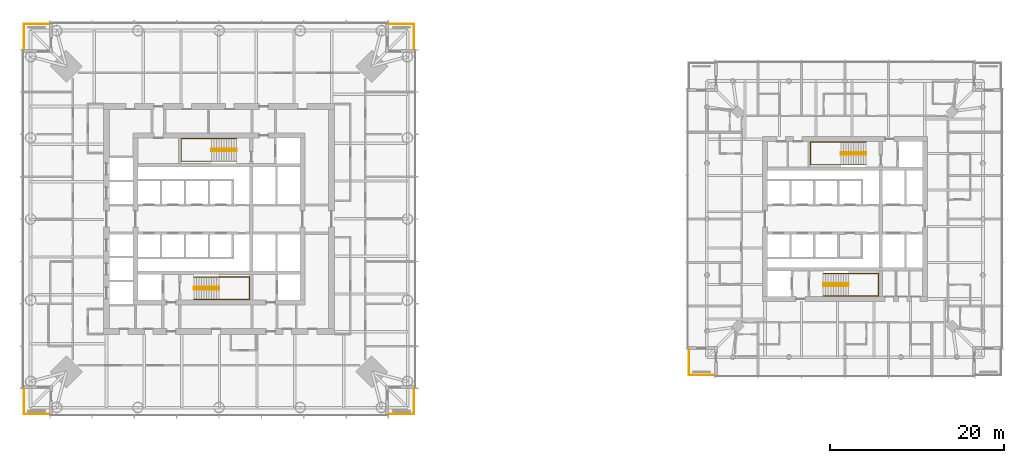
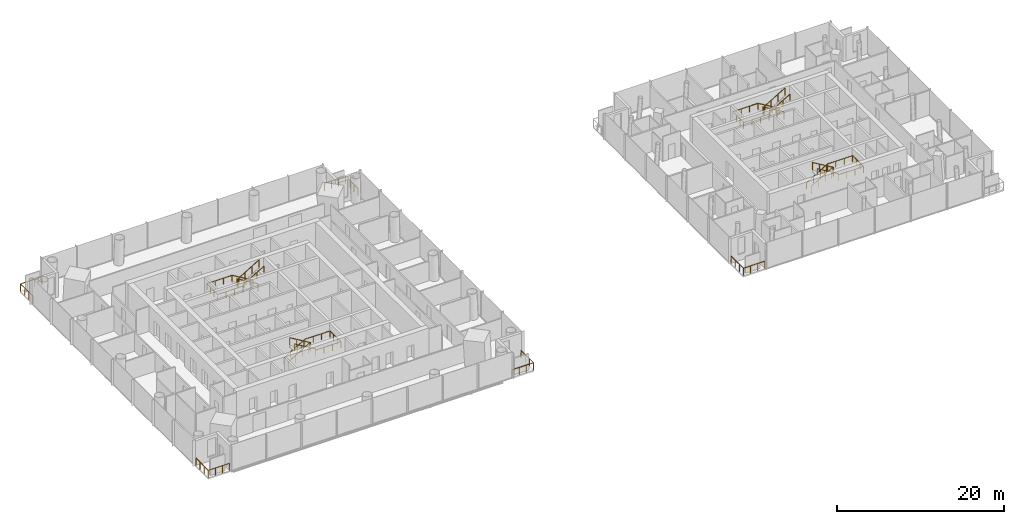
# One storey, part 17 of 18: 13 railings.
"""IFC4 building model written with IfcOpenShell, lengths in metres."""

from ifc_helpers import new_model, si_unit, direction, frame, origin, origin_2d, place, context, subcontext, project, spatial, circle, extrude, material, type_object, element, save


model = new_model("IFC4")

# Units and contexts
model_context = context("Model", 3, precision=1e-05, world=origin(), true_north=direction((0.0, 1.0)))
body_context = subcontext(model_context, "Body", "Model", "MODEL_VIEW")
ifc_project = project(units=[si_unit("LENGTHUNIT", "METRE"), si_unit("AREAUNIT", "SQUARE_METRE"), si_unit("VOLUMEUNIT", "CUBIC_METRE"), si_unit("PLANEANGLEUNIT", "RADIAN"), si_unit("MASSUNIT", "GRAM", prefix="KILO")], contexts=[model_context])

# Site, building, storey
site_placement = place(None, origin())
site = spatial("IfcSite", under=ifc_project, at=site_placement, CompositionType="ELEMENT")
building_placement = place(site_placement, origin())
building = spatial("IfcBuilding", under=site, at=building_placement, Name="Ostroluk Exchange", CompositionType="ELEMENT")
storey_placement = place(building_placement, frame((0.0, 0.0, 93.199951171875)))
storey = spatial("IfcBuildingStorey", under=building, at=storey_placement, Name="L23", CompositionType="ELEMENT", Elevation=93.199951171875)

# Railings
ifc_material_1 = material(Name="Stainless steel", Category="steel")
railing_type_1 = type_object("IfcRailingType", Name="Guard 1100 stainless steel", PredefinedType="GUARDRAIL", material=ifc_material_1)
railing_1_placement = place(storey_placement, frame((64.5, 23.550048828125, 0.0)))
element("IfcRailing", 1, at=railing_1_placement, inside=storey, type_object=railing_type_1, Name="Office tower SE balcony guard L23", PredefinedType="GUARDRAIL", context=body_context, shape_type="SweptSolid", body=[
    extrude(circle(Radius=0.02392578125, at=origin_2d()), frame((0.0, 0.0, 1.076171875), z_axis=(1.0, 0.0, 0.0), x_axis=(0.0, 1.0, 0.0)), (0.0, 0.0, 1.0), 2.949951171875),
    extrude(circle(Radius=0.02392578125, at=origin_2d()), frame((2.949951171875, 0.0, 1.076171875), z_axis=(0.0, 1.0, 0.0), x_axis=(-1.0, 0.0, 0.0)), (0.0, 0.0, 1.0), 2.949951171875),
    extrude(circle(Radius=0.02099609375, at=origin_2d()), origin(), (0.0, 0.0, 1.0), 1.052001953125),
    extrude(circle(Radius=0.02099609375, at=origin_2d()), frame((0.9833984375, 0.0, 0.0)), (0.0, 0.0, 1.0), 1.052001953125),
    extrude(circle(Radius=0.02099609375, at=origin_2d()), frame((1.966552734375, 0.0, 0.0)), (0.0, 0.0, 1.0), 1.052001953125),
    extrude(circle(Radius=0.02099609375, at=origin_2d()), frame((2.949951171875, 0.0, 0.0)), (0.0, 0.0, 1.0), 1.052001953125),
    extrude(circle(Radius=0.02099609375, at=origin_2d()), frame((2.949951171875, 0.9833984375, 0.0)), (0.0, 0.0, 1.0), 1.052001953125),
    extrude(circle(Radius=0.02099609375, at=origin_2d()), frame((2.949951171875, 1.966552734375, 0.0)), (0.0, 0.0, 1.0), 1.052001953125),
    extrude(circle(Radius=0.02099609375, at=origin_2d()), frame((2.949951171875, 2.949951171875, 0.0)), (0.0, 0.0, 1.0), 1.052001953125),
])
railing_2_placement = place(storey_placement, frame((64.5, 68.449951171875, 0.0)))
element("IfcRailing", 2, at=railing_2_placement, inside=storey, type_object=railing_type_1, Name="Office tower NE balcony guard L23", PredefinedType="GUARDRAIL", context=body_context, shape_type="SweptSolid", body=[
    extrude(circle(Radius=0.02392578125, at=origin_2d()), frame((0.0, 0.0, 1.076171875), z_axis=(1.0, 0.0, 0.0), x_axis=(0.0, 1.0, 0.0)), (0.0, 0.0, 1.0), 2.949951171875),
    extrude(circle(Radius=0.02392578125, at=origin_2d()), frame((2.949951171875, 0.0, 1.076171875), z_axis=(0.0, -1.0, 0.0), x_axis=(1.0, 0.0, 0.0)), (0.0, 0.0, 1.0), 2.949951171875),
    extrude(circle(Radius=0.02099609375, at=origin_2d()), origin(), (0.0, 0.0, 1.0), 1.052001953125),
    extrude(circle(Radius=0.02099609375, at=origin_2d()), frame((0.9833984375, 0.0, 0.0)), (0.0, 0.0, 1.0), 1.052001953125),
    extrude(circle(Radius=0.02099609375, at=origin_2d()), frame((1.966552734375, 0.0, 0.0)), (0.0, 0.0, 1.0), 1.052001953125),
    extrude(circle(Radius=0.02099609375, at=origin_2d()), frame((2.949951171875, 0.0, 0.0)), (0.0, 0.0, 1.0), 1.052001953125),
    extrude(circle(Radius=0.02099609375, at=origin_2d()), frame((2.949951171875, -0.9833984375, 0.0)), (0.0, 0.0, 1.0), 1.052001953125),
    extrude(circle(Radius=0.02099609375, at=origin_2d()), frame((2.949951171875, -1.966552734375, 0.0)), (0.0, 0.0, 1.0), 1.052001953125),
    extrude(circle(Radius=0.02099609375, at=origin_2d()), frame((2.949951171875, -2.949951171875, 0.0)), (0.0, 0.0, 1.0), 1.052001953125),
])
railing_3_placement = place(storey_placement, frame((25.5, 68.449951171875, 0.0)))
element("IfcRailing", 3, at=railing_3_placement, inside=storey, type_object=railing_type_1, Name="Office tower NW balcony guard L23", PredefinedType="GUARDRAIL", context=body_context, shape_type="SweptSolid", body=[
    extrude(circle(Radius=0.02392578125, at=origin_2d()), frame((0.0, 0.0, 1.076171875), z_axis=(-1.0, 0.0, 0.0), x_axis=(0.0, -1.0, 0.0)), (0.0, 0.0, 1.0), 2.949951171875),
    extrude(circle(Radius=0.02392578125, at=origin_2d()), frame((-2.949951171875, 0.0, 1.076171875), z_axis=(0.0, -1.0, 0.0), x_axis=(1.0, 0.0, 0.0)), (0.0, 0.0, 1.0), 2.949951171875),
    extrude(circle(Radius=0.02099609375, at=origin_2d()), origin(), (0.0, 0.0, 1.0), 1.052001953125),
    extrude(circle(Radius=0.02099609375, at=origin_2d()), frame((-0.9833984375, 0.0, 0.0)), (0.0, 0.0, 1.0), 1.052001953125),
    extrude(circle(Radius=0.02099609375, at=origin_2d()), frame((-1.966552734375, 0.0, 0.0)), (0.0, 0.0, 1.0), 1.052001953125),
    extrude(circle(Radius=0.02099609375, at=origin_2d()), frame((-2.949951171875, 0.0, 0.0)), (0.0, 0.0, 1.0), 1.052001953125),
    extrude(circle(Radius=0.02099609375, at=origin_2d()), frame((-2.949951171875, -0.9833984375, 0.0)), (0.0, 0.0, 1.0), 1.052001953125),
    extrude(circle(Radius=0.02099609375, at=origin_2d()), frame((-2.949951171875, -1.966552734375, 0.0)), (0.0, 0.0, 1.0), 1.052001953125),
    extrude(circle(Radius=0.02099609375, at=origin_2d()), frame((-2.949951171875, -2.949951171875, 0.0)), (0.0, 0.0, 1.0), 1.052001953125),
])
for number, where, name in (
    (4, (25.5, 23.550048828125, 0.0), "Office tower SW balcony guard L23"),
    (5, (102.0, 28.050048828125, 0.0), "Hotel tower SW balcony guard L23"),
):
    element("IfcRailing", number, at=place(storey_placement, frame(where)), inside=storey, type_object=railing_type_1, Name=name, PredefinedType="GUARDRAIL", context=body_context, shape_type="SweptSolid", body=[
        extrude(circle(Radius=0.02392578125, at=origin_2d()), frame((0.0, 0.0, 1.076171875), z_axis=(-1.0, 0.0, 0.0), x_axis=(0.0, -1.0, 0.0)), (0.0, 0.0, 1.0), 2.949951171875),
        extrude(circle(Radius=0.02392578125, at=origin_2d()), frame((-2.949951171875, 0.0, 1.076171875), z_axis=(0.0, 1.0, 0.0), x_axis=(-1.0, 0.0, 0.0)), (0.0, 0.0, 1.0), 2.949951171875),
        extrude(circle(Radius=0.02099609375, at=origin_2d()), origin(), (0.0, 0.0, 1.0), 1.052001953125),
        extrude(circle(Radius=0.02099609375, at=origin_2d()), frame((-0.9833984375, 0.0, 0.0)), (0.0, 0.0, 1.0), 1.052001953125),
        extrude(circle(Radius=0.02099609375, at=origin_2d()), frame((-1.966552734375, 0.0, 0.0)), (0.0, 0.0, 1.0), 1.052001953125),
        extrude(circle(Radius=0.02099609375, at=origin_2d()), frame((-2.949951171875, 0.0, 0.0)), (0.0, 0.0, 1.0), 1.052001953125),
        extrude(circle(Radius=0.02099609375, at=origin_2d()), frame((-2.949951171875, 0.9833984375, 0.0)), (0.0, 0.0, 1.0), 1.052001953125),
        extrude(circle(Radius=0.02099609375, at=origin_2d()), frame((-2.949951171875, 1.966552734375, 0.0)), (0.0, 0.0, 1.0), 1.052001953125),
        extrude(circle(Radius=0.02099609375, at=origin_2d()), frame((-2.949951171875, 2.949951171875, 0.0)), (0.0, 0.0, 1.0), 1.052001953125),
    ])
ifc_material_2 = material(Name="Steel S355", Category="steel")
railing_type_2 = type_object("IfcRailingType", Name="Stair guard 1100", PredefinedType="GUARDRAIL", material=ifc_material_2)
railing_4_placement = place(storey_placement, frame((42.10009765625, 38.179931640625, 0.1728515625)))
element("IfcRailing", 6, at=railing_4_placement, inside=storey, type_object=railing_type_2, Name="Stair T1-S1 guard L23", PredefinedType="GUARDRAIL", context=body_context, shape_type="SweptSolid", body=[
    extrude(circle(Radius=0.02392578125, at=origin_2d()), frame((0.0, 0.0, 1.076171875), z_axis=(0.859141464434, 0.0, 0.511738159696), x_axis=(0.0, 1.0, 0.0)), (0.0, 0.0, 1.0), 3.375244140625),
    extrude(circle(Radius=0.02392578125, at=origin_2d()), frame((2.89990234375, 0.0, 2.80322265625), z_axis=(0.0, -1.0, 0.0), x_axis=(1.0, 0.0, 0.0)), (0.0, 0.0, 1.0), 0.260009765625),
    extrude(circle(Radius=0.02392578125, at=origin_2d()), frame((2.89990234375, -0.260009765625, 2.80322265625), z_axis=(0.0, 0.0, 1.0), x_axis=(1.0, 0.0, 0.0)), (0.0, 0.0, 1.0), 0.172607421875),
    extrude(circle(Radius=0.02392578125, at=origin_2d()), frame((2.89990234375, -0.260009765625, 2.97607421875), z_axis=(-0.859141464434, 0.0, 0.511738159696), x_axis=(0.0, -1.0, 0.0)), (0.0, 0.0, 1.0), 3.375244140625),
    extrude(circle(Radius=0.02099609375, at=origin_2d()), origin(), (0.0, 0.0, 1.0), 1.052001953125),
    extrude(circle(Radius=0.02099609375, at=origin_2d()), frame((0.966552734375, 0.0, 0.57568359375)), (0.0, 0.0, 1.0), 1.052001953125),
    extrude(circle(Radius=0.02099609375, at=origin_2d()), frame((1.933349609375, 0.0, 1.151611328125)), (0.0, 0.0, 1.0), 1.052001953125),
    extrude(circle(Radius=0.02099609375, at=origin_2d()), frame((2.89990234375, 0.0, 1.727294921875)), (0.0, 0.0, 1.0), 1.052001953125),
    extrude(circle(Radius=0.02099609375, at=origin_2d()), frame((2.89990234375, -0.260009765625, 1.727294921875)), (0.0, 0.0, 1.0), 1.052001953125),
    extrude(circle(Radius=0.02099609375, at=origin_2d()), frame((2.89990234375, -0.260009765625, 1.89990234375)), (0.0, 0.0, 1.0), 1.052001953125),
    extrude(circle(Radius=0.02099609375, at=origin_2d()), frame((1.933349609375, -0.260009765625, 2.4755859375)), (0.0, 0.0, 1.0), 1.052001953125),
    extrude(circle(Radius=0.02099609375, at=origin_2d()), frame((0.966552734375, -0.260009765625, 3.051513671875)), (0.0, 0.0, 1.0), 1.052001953125),
    extrude(circle(Radius=0.02099609375, at=origin_2d()), frame((0.0, -0.260009765625, 3.627197265625)), (0.0, 0.0, 1.0), 1.052001953125),
])
railing_5_placement = place(storey_placement, frame((47.030029296875, 54.080078125, 0.1728515625)))
element("IfcRailing", 7, at=railing_5_placement, inside=storey, type_object=railing_type_2, Name="Stair T1-S2 guard L23", PredefinedType="GUARDRAIL", context=body_context, shape_type="SweptSolid", body=[
    extrude(circle(Radius=0.02392578125, at=origin_2d()), frame((0.0, 0.0, 1.076171875), z_axis=(-0.859160404282, 0.0, 0.51170636083), x_axis=(0.0, -1.0, 0.0)), (0.0, 0.0, 1.0), 3.37548828125),
    extrude(circle(Radius=0.02392578125, at=origin_2d()), frame((-2.900146484375, 0.0, 2.80322265625), z_axis=(0.0, -1.0, 0.0), x_axis=(1.0, 0.0, 0.0)), (0.0, 0.0, 1.0), 0.260009765625),
    extrude(circle(Radius=0.02392578125, at=origin_2d()), frame((-2.900146484375, -0.260009765625, 2.80322265625), z_axis=(0.0, 0.0, 1.0), x_axis=(1.0, 0.0, 0.0)), (0.0, 0.0, 1.0), 0.172607421875),
    extrude(circle(Radius=0.02392578125, at=origin_2d()), frame((-2.900146484375, -0.260009765625, 2.97607421875), z_axis=(0.859160404282, 0.0, 0.51170636083), x_axis=(0.0, 1.0, 0.0)), (0.0, 0.0, 1.0), 3.37548828125),
    extrude(circle(Radius=0.02099609375, at=origin_2d()), origin(), (0.0, 0.0, 1.0), 1.052001953125),
    extrude(circle(Radius=0.02099609375, at=origin_2d()), frame((-0.966796875, 0.0, 0.57568359375)), (0.0, 0.0, 1.0), 1.052001953125),
    extrude(circle(Radius=0.02099609375, at=origin_2d()), frame((-1.933349609375, 0.0, 1.151611328125)), (0.0, 0.0, 1.0), 1.052001953125),
    extrude(circle(Radius=0.02099609375, at=origin_2d()), frame((-2.900146484375, 0.0, 1.727294921875)), (0.0, 0.0, 1.0), 1.052001953125),
    extrude(circle(Radius=0.02099609375, at=origin_2d()), frame((-2.900146484375, -0.260009765625, 1.727294921875)), (0.0, 0.0, 1.0), 1.052001953125),
    extrude(circle(Radius=0.02099609375, at=origin_2d()), frame((-2.900146484375, -0.260009765625, 1.89990234375)), (0.0, 0.0, 1.0), 1.052001953125),
    extrude(circle(Radius=0.02099609375, at=origin_2d()), frame((-1.933349609375, -0.260009765625, 2.4755859375)), (0.0, 0.0, 1.0), 1.052001953125),
    extrude(circle(Radius=0.02099609375, at=origin_2d()), frame((-0.966796875, -0.260009765625, 3.051513671875)), (0.0, 0.0, 1.0), 1.052001953125),
    extrude(circle(Radius=0.02099609375, at=origin_2d()), frame((0.0, -0.260009765625, 3.627197265625)), (0.0, 0.0, 1.0), 1.052001953125),
])
railing_6_placement = place(storey_placement, frame((114.5, 38.580078125, 0.1728515625)))
element("IfcRailing", 8, at=railing_6_placement, inside=storey, type_object=railing_type_2, Name="Stair T2-S1 guard L23", PredefinedType="GUARDRAIL", context=body_context, shape_type="SweptSolid", body=[
    extrude(circle(Radius=0.02392578125, at=origin_2d()), frame((0.0, 0.0, 1.076171875), z_axis=(0.859141464434, 0.0, 0.511738159696), x_axis=(0.0, 1.0, 0.0)), (0.0, 0.0, 1.0), 3.375244140625),
    extrude(circle(Radius=0.02392578125, at=origin_2d()), frame((2.89990234375, 0.0, 2.80322265625), z_axis=(0.0, -1.0, 0.0), x_axis=(1.0, 0.0, 0.0)), (0.0, 0.0, 1.0), 0.260009765625),
    extrude(circle(Radius=0.02392578125, at=origin_2d()), frame((2.89990234375, -0.260009765625, 2.80322265625), z_axis=(0.0, 0.0, 1.0), x_axis=(1.0, 0.0, 0.0)), (0.0, 0.0, 1.0), 0.172607421875),
    extrude(circle(Radius=0.02392578125, at=origin_2d()), frame((2.89990234375, -0.260009765625, 2.97607421875), z_axis=(-0.859141464434, 0.0, 0.511738159696), x_axis=(0.0, -1.0, 0.0)), (0.0, 0.0, 1.0), 3.375244140625),
    extrude(circle(Radius=0.02099609375, at=origin_2d()), origin(), (0.0, 0.0, 1.0), 1.052001953125),
    extrude(circle(Radius=0.02099609375, at=origin_2d()), frame((0.966552734375, 0.0, 0.57568359375)), (0.0, 0.0, 1.0), 1.052001953125),
    extrude(circle(Radius=0.02099609375, at=origin_2d()), frame((1.933349609375, 0.0, 1.151611328125)), (0.0, 0.0, 1.0), 1.052001953125),
    extrude(circle(Radius=0.02099609375, at=origin_2d()), frame((2.89990234375, 0.0, 1.727294921875)), (0.0, 0.0, 1.0), 1.052001953125),
    extrude(circle(Radius=0.02099609375, at=origin_2d()), frame((2.89990234375, -0.260009765625, 1.727294921875)), (0.0, 0.0, 1.0), 1.052001953125),
    extrude(circle(Radius=0.02099609375, at=origin_2d()), frame((2.89990234375, -0.260009765625, 1.89990234375)), (0.0, 0.0, 1.0), 1.052001953125),
    extrude(circle(Radius=0.02099609375, at=origin_2d()), frame((1.933349609375, -0.260009765625, 2.4755859375)), (0.0, 0.0, 1.0), 1.052001953125),
    extrude(circle(Radius=0.02099609375, at=origin_2d()), frame((0.966552734375, -0.260009765625, 3.051513671875)), (0.0, 0.0, 1.0), 1.052001953125),
    extrude(circle(Radius=0.02099609375, at=origin_2d()), frame((0.0, -0.260009765625, 3.627197265625)), (0.0, 0.0, 1.0), 1.052001953125),
])
railing_7_placement = place(storey_placement, frame((119.429931640625, 53.679931640625, 0.1728515625)))
element("IfcRailing", 9, at=railing_7_placement, inside=storey, type_object=railing_type_2, Name="Stair T2-S2 guard L23", PredefinedType="GUARDRAIL", context=body_context, shape_type="SweptSolid", body=[
    extrude(circle(Radius=0.02392578125, at=origin_2d()), frame((0.0, 0.0, 1.076171875), z_axis=(-0.859141464434, 0.0, 0.511738159696), x_axis=(0.0, -1.0, 0.0)), (0.0, 0.0, 1.0), 3.375244140625),
    extrude(circle(Radius=0.02392578125, at=origin_2d()), frame((-2.89990234375, 0.0, 2.80322265625), z_axis=(0.0, -1.0, 0.0), x_axis=(1.0, 0.0, 0.0)), (0.0, 0.0, 1.0), 0.260009765625),
    extrude(circle(Radius=0.02392578125, at=origin_2d()), frame((-2.89990234375, -0.260009765625, 2.80322265625), z_axis=(0.0, 0.0, 1.0), x_axis=(1.0, 0.0, 0.0)), (0.0, 0.0, 1.0), 0.172607421875),
    extrude(circle(Radius=0.02392578125, at=origin_2d()), frame((-2.89990234375, -0.260009765625, 2.97607421875), z_axis=(0.859141464434, 0.0, 0.511738159696), x_axis=(0.0, 1.0, 0.0)), (0.0, 0.0, 1.0), 3.375244140625),
    extrude(circle(Radius=0.02099609375, at=origin_2d()), origin(), (0.0, 0.0, 1.0), 1.052001953125),
    extrude(circle(Radius=0.02099609375, at=origin_2d()), frame((-0.966552734375, 0.0, 0.57568359375)), (0.0, 0.0, 1.0), 1.052001953125),
    extrude(circle(Radius=0.02099609375, at=origin_2d()), frame((-1.933349609375, 0.0, 1.151611328125)), (0.0, 0.0, 1.0), 1.052001953125),
    extrude(circle(Radius=0.02099609375, at=origin_2d()), frame((-2.89990234375, 0.0, 1.727294921875)), (0.0, 0.0, 1.0), 1.052001953125),
    extrude(circle(Radius=0.02099609375, at=origin_2d()), frame((-2.89990234375, -0.260009765625, 1.727294921875)), (0.0, 0.0, 1.0), 1.052001953125),
    extrude(circle(Radius=0.02099609375, at=origin_2d()), frame((-2.89990234375, -0.260009765625, 1.89990234375)), (0.0, 0.0, 1.0), 1.052001953125),
    extrude(circle(Radius=0.02099609375, at=origin_2d()), frame((-1.933349609375, -0.260009765625, 2.4755859375)), (0.0, 0.0, 1.0), 1.052001953125),
    extrude(circle(Radius=0.02099609375, at=origin_2d()), frame((-0.966552734375, -0.260009765625, 3.051513671875)), (0.0, 0.0, 1.0), 1.052001953125),
    extrude(circle(Radius=0.02099609375, at=origin_2d()), frame((0.0, -0.260009765625, 3.627197265625)), (0.0, 0.0, 1.0), 1.052001953125),
])
ifc_material_3 = material(Name="Stainless steel", Category="steel")
railing_type_3 = type_object("IfcRailingType", Name="Stair handrail 900", PredefinedType="HANDRAIL", material=ifc_material_3)
railing_8_placement = place(storey_placement, frame((42.10009765625, 39.35009765625, 0.1728515625)))
element("IfcRailing", 10, at=railing_8_placement, inside=storey, type_object=railing_type_3, Name="Stair T1-S1 handrail L23", PredefinedType="HANDRAIL", context=body_context, shape_type="SweptSolid", body=[
    extrude(circle(Radius=0.02392578125, at=origin_2d()), frame((0.0, 0.0, 0.8759765625), z_axis=(0.859141464434, 0.0, 0.511738159696), x_axis=(0.0, 1.0, 0.0)), (0.0, 0.0, 1.0), 3.375244140625),
    extrude(circle(Radius=0.02392578125, at=origin_2d()), frame((2.89990234375, 0.0, 2.60302734375), z_axis=(1.0, 0.0, 0.0), x_axis=(0.0, 1.0, 0.0)), (0.0, 0.0, 1.0), 3.47998046875),
    extrude(circle(Radius=0.02392578125, at=origin_2d()), frame((6.3798828125, 0.0, 2.60302734375), z_axis=(0.0, -1.0, 0.0), x_axis=(1.0, 0.0, 0.0)), (0.0, 0.0, 1.0), 2.60009765625),
    extrude(circle(Radius=0.02392578125, at=origin_2d()), frame((6.3798828125, -2.60009765625, 2.60302734375), z_axis=(-1.0, 0.0, 0.0), x_axis=(0.0, -1.0, 0.0)), (0.0, 0.0, 1.0), 3.47998046875),
    extrude(circle(Radius=0.02392578125, at=origin_2d()), frame((2.89990234375, -2.60009765625, 2.60302734375), z_axis=(0.0, 0.0, 1.0), x_axis=(1.0, 0.0, 0.0)), (0.0, 0.0, 1.0), 0.172607421875),
    extrude(circle(Radius=0.02392578125, at=origin_2d()), frame((2.89990234375, -2.60009765625, 2.77587890625), z_axis=(-0.859141464434, 0.0, 0.511738159696), x_axis=(0.0, -1.0, 0.0)), (0.0, 0.0, 1.0), 3.375244140625),
    extrude(circle(Radius=0.02099609375, at=origin_2d()), origin(), (0.0, 0.0, 1.0), 0.851806640625),
    extrude(circle(Radius=0.02099609375, at=origin_2d()), frame((0.966552734375, 0.0, 0.57568359375)), (0.0, 0.0, 1.0), 0.851806640625),
    extrude(circle(Radius=0.02099609375, at=origin_2d()), frame((1.933349609375, 0.0, 1.151611328125)), (0.0, 0.0, 1.0), 0.851806640625),
    extrude(circle(Radius=0.02099609375, at=origin_2d()), frame((2.89990234375, 0.0, 1.727294921875)), (0.0, 0.0, 1.0), 0.851806640625),
    extrude(circle(Radius=0.02099609375, at=origin_2d()), frame((4.059814453125, 0.0, 1.727294921875)), (0.0, 0.0, 1.0), 0.851806640625),
    extrude(circle(Radius=0.02099609375, at=origin_2d()), frame((5.219970703125, 0.0, 1.727294921875)), (0.0, 0.0, 1.0), 0.851806640625),
    extrude(circle(Radius=0.02099609375, at=origin_2d()), frame((6.3798828125, 0.0, 1.727294921875)), (0.0, 0.0, 1.0), 0.851806640625),
    extrude(circle(Radius=0.02099609375, at=origin_2d()), frame((6.3798828125, -0.86669921875, 1.727294921875)), (0.0, 0.0, 1.0), 0.851806640625),
    extrude(circle(Radius=0.02099609375, at=origin_2d()), frame((6.3798828125, -1.7333984375, 1.727294921875)), (0.0, 0.0, 1.0), 0.851806640625),
    extrude(circle(Radius=0.02099609375, at=origin_2d()), frame((6.3798828125, -2.60009765625, 1.727294921875)), (0.0, 0.0, 1.0), 0.851806640625),
    extrude(circle(Radius=0.02099609375, at=origin_2d()), frame((5.219970703125, -2.60009765625, 1.727294921875)), (0.0, 0.0, 1.0), 0.851806640625),
    extrude(circle(Radius=0.02099609375, at=origin_2d()), frame((4.059814453125, -2.60009765625, 1.727294921875)), (0.0, 0.0, 1.0), 0.851806640625),
    extrude(circle(Radius=0.02099609375, at=origin_2d()), frame((2.89990234375, -2.60009765625, 1.727294921875)), (0.0, 0.0, 1.0), 0.851806640625),
    extrude(circle(Radius=0.02099609375, at=origin_2d()), frame((2.89990234375, -2.60009765625, 1.89990234375)), (0.0, 0.0, 1.0), 0.851806640625),
    extrude(circle(Radius=0.02099609375, at=origin_2d()), frame((1.933349609375, -2.60009765625, 2.4755859375)), (0.0, 0.0, 1.0), 0.851806640625),
    extrude(circle(Radius=0.02099609375, at=origin_2d()), frame((0.966552734375, -2.60009765625, 3.051513671875)), (0.0, 0.0, 1.0), 0.851806640625),
    extrude(circle(Radius=0.02099609375, at=origin_2d()), frame((0.0, -2.60009765625, 3.627197265625)), (0.0, 0.0, 1.0), 0.851806640625),
])
railing_9_placement = place(storey_placement, frame((47.030029296875, 55.25, 0.1728515625)))
element("IfcRailing", 11, at=railing_9_placement, inside=storey, type_object=railing_type_3, Name="Stair T1-S2 handrail L23", PredefinedType="HANDRAIL", context=body_context, shape_type="SweptSolid", body=[
    extrude(circle(Radius=0.02392578125, at=origin_2d()), frame((0.0, 0.0, 0.8759765625), z_axis=(-0.859160404282, 0.0, 0.51170636083), x_axis=(0.0, -1.0, 0.0)), (0.0, 0.0, 1.0), 3.37548828125),
    extrude(circle(Radius=0.02392578125, at=origin_2d()), frame((-2.900146484375, 0.0, 2.60302734375), z_axis=(-1.0, 0.0, 0.0), x_axis=(0.0, -1.0, 0.0)), (0.0, 0.0, 1.0), 3.47998046875),
    extrude(circle(Radius=0.02392578125, at=origin_2d()), frame((-6.380126953125, 0.0, 2.60302734375), z_axis=(0.0, -1.0, 0.0), x_axis=(1.0, 0.0, 0.0)), (0.0, 0.0, 1.0), 2.60009765625),
    extrude(circle(Radius=0.02392578125, at=origin_2d()), frame((-6.380126953125, -2.60009765625, 2.60302734375), z_axis=(1.0, 0.0, 0.0), x_axis=(0.0, 1.0, 0.0)), (0.0, 0.0, 1.0), 3.47998046875),
    extrude(circle(Radius=0.02392578125, at=origin_2d()), frame((-2.900146484375, -2.60009765625, 2.60302734375), z_axis=(0.0, 0.0, 1.0), x_axis=(1.0, 0.0, 0.0)), (0.0, 0.0, 1.0), 0.172607421875),
    extrude(circle(Radius=0.02392578125, at=origin_2d()), frame((-2.900146484375, -2.60009765625, 2.77587890625), z_axis=(0.859160404282, 0.0, 0.51170636083), x_axis=(0.0, 1.0, 0.0)), (0.0, 0.0, 1.0), 3.37548828125),
    extrude(circle(Radius=0.02099609375, at=origin_2d()), origin(), (0.0, 0.0, 1.0), 0.851806640625),
    extrude(circle(Radius=0.02099609375, at=origin_2d()), frame((-0.966796875, 0.0, 0.57568359375)), (0.0, 0.0, 1.0), 0.851806640625),
    extrude(circle(Radius=0.02099609375, at=origin_2d()), frame((-1.933349609375, 0.0, 1.151611328125)), (0.0, 0.0, 1.0), 0.851806640625),
    extrude(circle(Radius=0.02099609375, at=origin_2d()), frame((-2.900146484375, 0.0, 1.727294921875)), (0.0, 0.0, 1.0), 0.851806640625),
    extrude(circle(Radius=0.02099609375, at=origin_2d()), frame((-4.06005859375, 0.0, 1.727294921875)), (0.0, 0.0, 1.0), 0.851806640625),
    extrude(circle(Radius=0.02099609375, at=origin_2d()), frame((-5.22021484375, 0.0, 1.727294921875)), (0.0, 0.0, 1.0), 0.851806640625),
    extrude(circle(Radius=0.02099609375, at=origin_2d()), frame((-6.380126953125, 0.0, 1.727294921875)), (0.0, 0.0, 1.0), 0.851806640625),
    extrude(circle(Radius=0.02099609375, at=origin_2d()), frame((-6.380126953125, -0.86669921875, 1.727294921875)), (0.0, 0.0, 1.0), 0.851806640625),
    extrude(circle(Radius=0.02099609375, at=origin_2d()), frame((-6.380126953125, -1.7333984375, 1.727294921875)), (0.0, 0.0, 1.0), 0.851806640625),
    extrude(circle(Radius=0.02099609375, at=origin_2d()), frame((-6.380126953125, -2.60009765625, 1.727294921875)), (0.0, 0.0, 1.0), 0.851806640625),
    extrude(circle(Radius=0.02099609375, at=origin_2d()), frame((-5.22021484375, -2.60009765625, 1.727294921875)), (0.0, 0.0, 1.0), 0.851806640625),
    extrude(circle(Radius=0.02099609375, at=origin_2d()), frame((-4.06005859375, -2.60009765625, 1.727294921875)), (0.0, 0.0, 1.0), 0.851806640625),
    extrude(circle(Radius=0.02099609375, at=origin_2d()), frame((-2.900146484375, -2.60009765625, 1.727294921875)), (0.0, 0.0, 1.0), 0.851806640625),
    extrude(circle(Radius=0.02099609375, at=origin_2d()), frame((-2.900146484375, -2.60009765625, 1.89990234375)), (0.0, 0.0, 1.0), 0.851806640625),
    extrude(circle(Radius=0.02099609375, at=origin_2d()), frame((-1.933349609375, -2.60009765625, 2.4755859375)), (0.0, 0.0, 1.0), 0.851806640625),
    extrude(circle(Radius=0.02099609375, at=origin_2d()), frame((-0.966796875, -2.60009765625, 3.051513671875)), (0.0, 0.0, 1.0), 0.851806640625),
    extrude(circle(Radius=0.02099609375, at=origin_2d()), frame((0.0, -2.60009765625, 3.627197265625)), (0.0, 0.0, 1.0), 0.851806640625),
])
railing_10_placement = place(storey_placement, frame((114.5, 39.75, 0.1728515625)))
element("IfcRailing", 12, at=railing_10_placement, inside=storey, type_object=railing_type_3, Name="Stair T2-S1 handrail L23", PredefinedType="HANDRAIL", context=body_context, shape_type="SweptSolid", body=[
    extrude(circle(Radius=0.02392578125, at=origin_2d()), frame((0.0, 0.0, 0.8759765625), z_axis=(0.859141464434, 0.0, 0.511738159696), x_axis=(0.0, 1.0, 0.0)), (0.0, 0.0, 1.0), 3.375244140625),
    extrude(circle(Radius=0.02392578125, at=origin_2d()), frame((2.89990234375, 0.0, 2.60302734375), z_axis=(1.0, 0.0, 0.0), x_axis=(0.0, 1.0, 0.0)), (0.0, 0.0, 1.0), 3.47998046875),
    extrude(circle(Radius=0.02392578125, at=origin_2d()), frame((6.3798828125, 0.0, 2.60302734375), z_axis=(0.0, -1.0, 0.0), x_axis=(1.0, 0.0, 0.0)), (0.0, 0.0, 1.0), 2.60009765625),
    extrude(circle(Radius=0.02392578125, at=origin_2d()), frame((6.3798828125, -2.60009765625, 2.60302734375), z_axis=(-1.0, 0.0, 0.0), x_axis=(0.0, -1.0, 0.0)), (0.0, 0.0, 1.0), 3.47998046875),
    extrude(circle(Radius=0.02392578125, at=origin_2d()), frame((2.89990234375, -2.60009765625, 2.60302734375), z_axis=(0.0, 0.0, 1.0), x_axis=(1.0, 0.0, 0.0)), (0.0, 0.0, 1.0), 0.172607421875),
    extrude(circle(Radius=0.02392578125, at=origin_2d()), frame((2.89990234375, -2.60009765625, 2.77587890625), z_axis=(-0.859141464434, 0.0, 0.511738159696), x_axis=(0.0, -1.0, 0.0)), (0.0, 0.0, 1.0), 3.375244140625),
    extrude(circle(Radius=0.02099609375, at=origin_2d()), origin(), (0.0, 0.0, 1.0), 0.851806640625),
    extrude(circle(Radius=0.02099609375, at=origin_2d()), frame((0.966552734375, 0.0, 0.57568359375)), (0.0, 0.0, 1.0), 0.851806640625),
    extrude(circle(Radius=0.02099609375, at=origin_2d()), frame((1.933349609375, 0.0, 1.151611328125)), (0.0, 0.0, 1.0), 0.851806640625),
    extrude(circle(Radius=0.02099609375, at=origin_2d()), frame((2.89990234375, 0.0, 1.727294921875)), (0.0, 0.0, 1.0), 0.851806640625),
    extrude(circle(Radius=0.02099609375, at=origin_2d()), frame((4.059814453125, 0.0, 1.727294921875)), (0.0, 0.0, 1.0), 0.851806640625),
    extrude(circle(Radius=0.02099609375, at=origin_2d()), frame((5.219970703125, 0.0, 1.727294921875)), (0.0, 0.0, 1.0), 0.851806640625),
    extrude(circle(Radius=0.02099609375, at=origin_2d()), frame((6.3798828125, 0.0, 1.727294921875)), (0.0, 0.0, 1.0), 0.851806640625),
    extrude(circle(Radius=0.02099609375, at=origin_2d()), frame((6.3798828125, -0.86669921875, 1.727294921875)), (0.0, 0.0, 1.0), 0.851806640625),
    extrude(circle(Radius=0.02099609375, at=origin_2d()), frame((6.3798828125, -1.7333984375, 1.727294921875)), (0.0, 0.0, 1.0), 0.851806640625),
    extrude(circle(Radius=0.02099609375, at=origin_2d()), frame((6.3798828125, -2.60009765625, 1.727294921875)), (0.0, 0.0, 1.0), 0.851806640625),
    extrude(circle(Radius=0.02099609375, at=origin_2d()), frame((5.219970703125, -2.60009765625, 1.727294921875)), (0.0, 0.0, 1.0), 0.851806640625),
    extrude(circle(Radius=0.02099609375, at=origin_2d()), frame((4.059814453125, -2.60009765625, 1.727294921875)), (0.0, 0.0, 1.0), 0.851806640625),
    extrude(circle(Radius=0.02099609375, at=origin_2d()), frame((2.89990234375, -2.60009765625, 1.727294921875)), (0.0, 0.0, 1.0), 0.851806640625),
    extrude(circle(Radius=0.02099609375, at=origin_2d()), frame((2.89990234375, -2.60009765625, 1.89990234375)), (0.0, 0.0, 1.0), 0.851806640625),
    extrude(circle(Radius=0.02099609375, at=origin_2d()), frame((1.933349609375, -2.60009765625, 2.4755859375)), (0.0, 0.0, 1.0), 0.851806640625),
    extrude(circle(Radius=0.02099609375, at=origin_2d()), frame((0.966552734375, -2.60009765625, 3.051513671875)), (0.0, 0.0, 1.0), 0.851806640625),
    extrude(circle(Radius=0.02099609375, at=origin_2d()), frame((0.0, -2.60009765625, 3.627197265625)), (0.0, 0.0, 1.0), 0.851806640625),
])
railing_11_placement = place(storey_placement, frame((119.429931640625, 54.85009765625, 0.1728515625)))
element("IfcRailing", 13, at=railing_11_placement, inside=storey, type_object=railing_type_3, Name="Stair T2-S2 handrail L23", PredefinedType="HANDRAIL", context=body_context, shape_type="SweptSolid", body=[
    extrude(circle(Radius=0.02392578125, at=origin_2d()), frame((0.0, 0.0, 0.8759765625), z_axis=(-0.859141464434, 0.0, 0.511738159696), x_axis=(0.0, -1.0, 0.0)), (0.0, 0.0, 1.0), 3.375244140625),
    extrude(circle(Radius=0.02392578125, at=origin_2d()), frame((-2.89990234375, 0.0, 2.60302734375), z_axis=(-1.0, 0.0, 0.0), x_axis=(0.0, -1.0, 0.0)), (0.0, 0.0, 1.0), 3.47998046875),
    extrude(circle(Radius=0.02392578125, at=origin_2d()), frame((-6.3798828125, 0.0, 2.60302734375), z_axis=(0.0, -1.0, 0.0), x_axis=(1.0, 0.0, 0.0)), (0.0, 0.0, 1.0), 2.60009765625),
    extrude(circle(Radius=0.02392578125, at=origin_2d()), frame((-6.3798828125, -2.60009765625, 2.60302734375), z_axis=(1.0, 0.0, 0.0), x_axis=(0.0, 1.0, 0.0)), (0.0, 0.0, 1.0), 3.47998046875),
    extrude(circle(Radius=0.02392578125, at=origin_2d()), frame((-2.89990234375, -2.60009765625, 2.60302734375), z_axis=(0.0, 0.0, 1.0), x_axis=(1.0, 0.0, 0.0)), (0.0, 0.0, 1.0), 0.172607421875),
    extrude(circle(Radius=0.02392578125, at=origin_2d()), frame((-2.89990234375, -2.60009765625, 2.77587890625), z_axis=(0.859141464434, 0.0, 0.511738159696), x_axis=(0.0, 1.0, 0.0)), (0.0, 0.0, 1.0), 3.375244140625),
    extrude(circle(Radius=0.02099609375, at=origin_2d()), origin(), (0.0, 0.0, 1.0), 0.851806640625),
    extrude(circle(Radius=0.02099609375, at=origin_2d()), frame((-0.966552734375, 0.0, 0.57568359375)), (0.0, 0.0, 1.0), 0.851806640625),
    extrude(circle(Radius=0.02099609375, at=origin_2d()), frame((-1.933349609375, 0.0, 1.151611328125)), (0.0, 0.0, 1.0), 0.851806640625),
    extrude(circle(Radius=0.02099609375, at=origin_2d()), frame((-2.89990234375, 0.0, 1.727294921875)), (0.0, 0.0, 1.0), 0.851806640625),
    extrude(circle(Radius=0.02099609375, at=origin_2d()), frame((-4.059814453125, 0.0, 1.727294921875)), (0.0, 0.0, 1.0), 0.851806640625),
    extrude(circle(Radius=0.02099609375, at=origin_2d()), frame((-5.219970703125, 0.0, 1.727294921875)), (0.0, 0.0, 1.0), 0.851806640625),
    extrude(circle(Radius=0.02099609375, at=origin_2d()), frame((-6.3798828125, 0.0, 1.727294921875)), (0.0, 0.0, 1.0), 0.851806640625),
    extrude(circle(Radius=0.02099609375, at=origin_2d()), frame((-6.3798828125, -0.86669921875, 1.727294921875)), (0.0, 0.0, 1.0), 0.851806640625),
    extrude(circle(Radius=0.02099609375, at=origin_2d()), frame((-6.3798828125, -1.7333984375, 1.727294921875)), (0.0, 0.0, 1.0), 0.851806640625),
    extrude(circle(Radius=0.02099609375, at=origin_2d()), frame((-6.3798828125, -2.60009765625, 1.727294921875)), (0.0, 0.0, 1.0), 0.851806640625),
    extrude(circle(Radius=0.02099609375, at=origin_2d()), frame((-5.219970703125, -2.60009765625, 1.727294921875)), (0.0, 0.0, 1.0), 0.851806640625),
    extrude(circle(Radius=0.02099609375, at=origin_2d()), frame((-4.059814453125, -2.60009765625, 1.727294921875)), (0.0, 0.0, 1.0), 0.851806640625),
    extrude(circle(Radius=0.02099609375, at=origin_2d()), frame((-2.89990234375, -2.60009765625, 1.727294921875)), (0.0, 0.0, 1.0), 0.851806640625),
    extrude(circle(Radius=0.02099609375, at=origin_2d()), frame((-2.89990234375, -2.60009765625, 1.89990234375)), (0.0, 0.0, 1.0), 0.851806640625),
    extrude(circle(Radius=0.02099609375, at=origin_2d()), frame((-1.933349609375, -2.60009765625, 2.4755859375)), (0.0, 0.0, 1.0), 0.851806640625),
    extrude(circle(Radius=0.02099609375, at=origin_2d()), frame((-0.966552734375, -2.60009765625, 3.051513671875)), (0.0, 0.0, 1.0), 0.851806640625),
    extrude(circle(Radius=0.02099609375, at=origin_2d()), frame((0.0, -2.60009765625, 3.627197265625)), (0.0, 0.0, 1.0), 0.851806640625),
])

save(model, "model.ifc")
